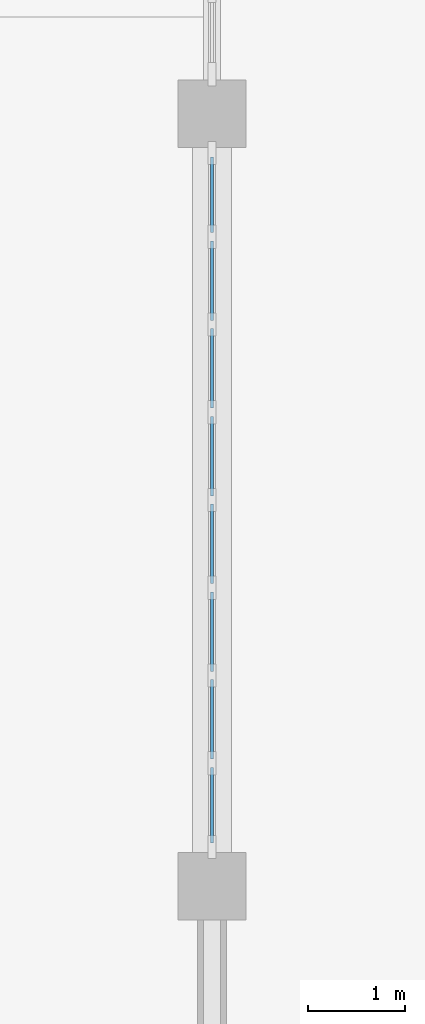
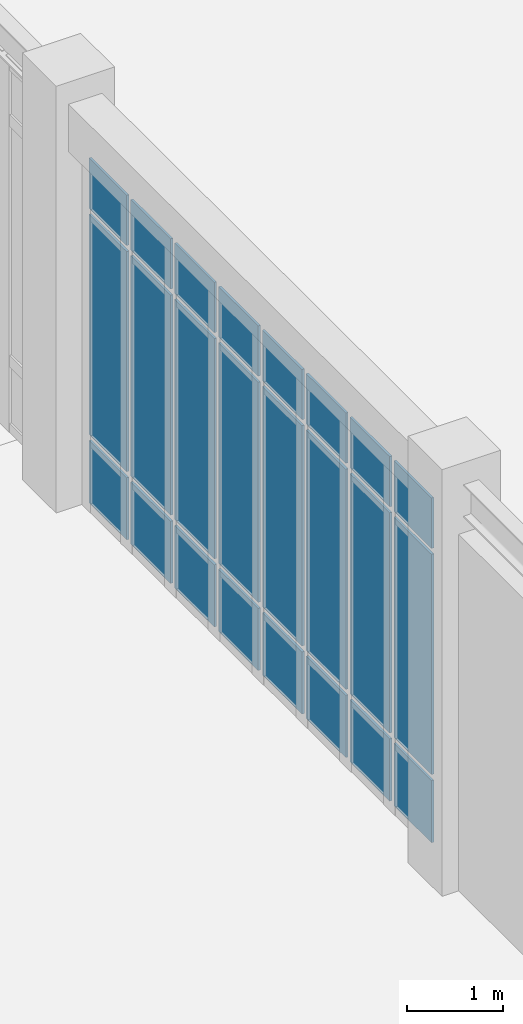
# One storey, part 29 of 62: 24 plates, 1 element without a shape of its own.
"""IFC4 building model written with IfcOpenShell, lengths in metres."""

from ifc_helpers import new_model, si_unit, direction, frame, origin, origin_2d, place, context, subcontext, project, spatial, rectangle, extrude, material, layer, layer_set, type_object, element, aggregate, save


model = new_model("IFC4")

# Units and contexts
model_context = context("Model", 3, precision=1e-05, world=origin(), true_north=direction((0.0, 1.0)))
body_context = subcontext(model_context, "Body", "Model", "MODEL_VIEW")
ifc_project = project(units=[si_unit("LENGTHUNIT", "METRE"), si_unit("AREAUNIT", "SQUARE_METRE"), si_unit("VOLUMEUNIT", "CUBIC_METRE"), si_unit("PLANEANGLEUNIT", "RADIAN"), si_unit("MASSUNIT", "GRAM", prefix="KILO")], contexts=[model_context])

# Site, building, storey
site_placement = place(None, origin())
site = spatial("IfcSite", under=ifc_project, at=site_placement, CompositionType="ELEMENT")
building_placement = place(site_placement, origin())
building = spatial("IfcBuilding", under=site, at=building_placement, Name="Tarnveldt Square Police Headquarters", CompositionType="ELEMENT")
storey_placement = place(building_placement, origin())
storey = spatial("IfcBuildingStorey", under=building, at=storey_placement, Name="L00", CompositionType="ELEMENT", Elevation=0.0)

# Curtain wall, plates
ifc_material = material(Name="Triple-glazed low-e laminated vision glass", Category="glass")
curtain_wall_type = type_object("IfcCurtainWallType", Name="CW-WG-727x451", PredefinedType="USERDEFINED", material=ifc_material)
curtain_wall_placement = place(storey_placement, origin())
curtain_wall = element("IfcCurtainWall", 1, at=curtain_wall_placement, inside=storey, type_object=curtain_wall_type, Name="L00 Curtain Wall CW-L00-062", ObjectType="GLAZED CURTAIN WALL", PredefinedType="USERDEFINED")
ifc_layer = layer(ifc_material, 0.028076171875)
ifc_layer_set = layer_set([ifc_layer], Name="Triple-glazed low-e laminated vision glass")
plate_type = type_object("IfcPlateType", Name="CWP-VIS-28", PredefinedType="CURTAIN_PANEL", material=ifc_layer_set)
plate_1_placement = place(storey_placement, frame((48.60009765625, 56.840576171875, 0.074951171875), z_axis=(0.0, 0.0, 1.0), x_axis=(0.0, 1.0, 0.0)))
plate_1 = element("IfcPlate", 2, at=plate_1_placement, type_object=plate_type, Name="CW-WG24 panel 1.1", PredefinedType="CURTAIN_PANEL", context=body_context, shape_type="SweptSolid", body=[
    extrude(rectangle(XDim=0.78125, YDim=0.028076171875, at=origin_2d()), origin(), (0.0, 0.0, 1.0), 0.78759765625),
])
plate_2_placement = place(storey_placement, frame((48.60009765625, 56.840576171875, 0.9375), z_axis=(0.0, 0.0, 1.0), x_axis=(0.0, 1.0, 0.0)))
plate_2 = element("IfcPlate", 3, at=plate_2_placement, type_object=plate_type, Name="CW-WG24 panel 1.2", PredefinedType="CURTAIN_PANEL", context=body_context, shape_type="SweptSolid", body=[
    extrude(rectangle(XDim=0.78125, YDim=0.028076171875, at=origin_2d()), origin(), (0.0, 0.0, 1.0), 2.787109375),
])
plate_3_placement = place(storey_placement, frame((48.60009765625, 56.840576171875, 3.79931640625), z_axis=(0.0, 0.0, 1.0), x_axis=(0.0, 1.0, 0.0)))
plate_3 = element("IfcPlate", 4, at=plate_3_placement, type_object=plate_type, Name="CW-WG24 panel 1.3", PredefinedType="CURTAIN_PANEL", context=body_context, shape_type="SweptSolid", body=[
    extrude(rectangle(XDim=0.78125, YDim=0.028076171875, at=origin_2d()), origin(), (0.0, 0.0, 1.0), 0.637451171875),
])
plate_4_placement = place(storey_placement, frame((48.60009765625, 57.72802734375, 0.074951171875), z_axis=(0.0, 0.0, 1.0), x_axis=(0.0, 1.0, 0.0)))
plate_4 = element("IfcPlate", 5, at=plate_4_placement, type_object=plate_type, Name="CW-WG24 panel 2.1", PredefinedType="CURTAIN_PANEL", context=body_context, shape_type="SweptSolid", body=[
    extrude(rectangle(XDim=0.82373046875, YDim=0.028076171875, at=origin_2d()), origin(), (0.0, 0.0, 1.0), 0.78759765625),
])
plate_5_placement = place(storey_placement, frame((48.60009765625, 57.72802734375, 0.9375), z_axis=(0.0, 0.0, 1.0), x_axis=(0.0, 1.0, 0.0)))
plate_5 = element("IfcPlate", 6, at=plate_5_placement, type_object=plate_type, Name="CW-WG24 panel 2.2", PredefinedType="CURTAIN_PANEL", context=body_context, shape_type="SweptSolid", body=[
    extrude(rectangle(XDim=0.82373046875, YDim=0.028076171875, at=origin_2d()), origin(), (0.0, 0.0, 1.0), 2.787109375),
])
plate_6_placement = place(storey_placement, frame((48.60009765625, 57.72802734375, 3.79931640625), z_axis=(0.0, 0.0, 1.0), x_axis=(0.0, 1.0, 0.0)))
plate_6 = element("IfcPlate", 7, at=plate_6_placement, type_object=plate_type, Name="CW-WG24 panel 2.3", PredefinedType="CURTAIN_PANEL", context=body_context, shape_type="SweptSolid", body=[
    extrude(rectangle(XDim=0.82373046875, YDim=0.028076171875, at=origin_2d()), origin(), (0.0, 0.0, 1.0), 0.637451171875),
])
plate_7_placement = place(storey_placement, frame((48.60009765625, 58.636962890625, 0.074951171875), z_axis=(0.0, 0.0, 1.0), x_axis=(0.0, 1.0, 0.0)))
plate_7 = element("IfcPlate", 8, at=plate_7_placement, type_object=plate_type, Name="CW-WG24 panel 3.1", PredefinedType="CURTAIN_PANEL", context=body_context, shape_type="SweptSolid", body=[
    extrude(rectangle(XDim=0.82373046875, YDim=0.028076171875, at=origin_2d()), origin(), (0.0, 0.0, 1.0), 0.78759765625),
])
plate_8_placement = place(storey_placement, frame((48.60009765625, 58.636962890625, 0.9375), z_axis=(0.0, 0.0, 1.0), x_axis=(0.0, 1.0, 0.0)))
plate_8 = element("IfcPlate", 9, at=plate_8_placement, type_object=plate_type, Name="CW-WG24 panel 3.2", PredefinedType="CURTAIN_PANEL", context=body_context, shape_type="SweptSolid", body=[
    extrude(rectangle(XDim=0.82373046875, YDim=0.028076171875, at=origin_2d()), origin(), (0.0, 0.0, 1.0), 2.787109375),
])
plate_9_placement = place(storey_placement, frame((48.60009765625, 58.636962890625, 3.79931640625), z_axis=(0.0, 0.0, 1.0), x_axis=(0.0, 1.0, 0.0)))
plate_9 = element("IfcPlate", 10, at=plate_9_placement, type_object=plate_type, Name="CW-WG24 panel 3.3", PredefinedType="CURTAIN_PANEL", context=body_context, shape_type="SweptSolid", body=[
    extrude(rectangle(XDim=0.82373046875, YDim=0.028076171875, at=origin_2d()), origin(), (0.0, 0.0, 1.0), 0.637451171875),
])
plate_10_placement = place(storey_placement, frame((48.60009765625, 59.545654296875, 0.074951171875), z_axis=(0.0, 0.0, 1.0), x_axis=(0.0, 1.0, 0.0)))
plate_10 = element("IfcPlate", 11, at=plate_10_placement, type_object=plate_type, Name="CW-WG24 panel 4.1", PredefinedType="CURTAIN_PANEL", context=body_context, shape_type="SweptSolid", body=[
    extrude(rectangle(XDim=0.82373046875, YDim=0.028076171875, at=origin_2d()), origin(), (0.0, 0.0, 1.0), 0.78759765625),
])
plate_11_placement = place(storey_placement, frame((48.60009765625, 59.545654296875, 0.9375), z_axis=(0.0, 0.0, 1.0), x_axis=(0.0, 1.0, 0.0)))
plate_11 = element("IfcPlate", 12, at=plate_11_placement, type_object=plate_type, Name="CW-WG24 panel 4.2", PredefinedType="CURTAIN_PANEL", context=body_context, shape_type="SweptSolid", body=[
    extrude(rectangle(XDim=0.82373046875, YDim=0.028076171875, at=origin_2d()), origin(), (0.0, 0.0, 1.0), 2.787109375),
])
plate_12_placement = place(storey_placement, frame((48.60009765625, 59.545654296875, 3.79931640625), z_axis=(0.0, 0.0, 1.0), x_axis=(0.0, 1.0, 0.0)))
plate_12 = element("IfcPlate", 13, at=plate_12_placement, type_object=plate_type, Name="CW-WG24 panel 4.3", PredefinedType="CURTAIN_PANEL", context=body_context, shape_type="SweptSolid", body=[
    extrude(rectangle(XDim=0.82373046875, YDim=0.028076171875, at=origin_2d()), origin(), (0.0, 0.0, 1.0), 0.637451171875),
])
plate_13_placement = place(storey_placement, frame((48.60009765625, 60.454345703125, 0.074951171875), z_axis=(0.0, 0.0, 1.0), x_axis=(0.0, 1.0, 0.0)))
plate_13 = element("IfcPlate", 14, at=plate_13_placement, type_object=plate_type, Name="CW-WG24 panel 5.1", PredefinedType="CURTAIN_PANEL", context=body_context, shape_type="SweptSolid", body=[
    extrude(rectangle(XDim=0.82373046875, YDim=0.028076171875, at=origin_2d()), origin(), (0.0, 0.0, 1.0), 0.78759765625),
])
plate_14_placement = place(storey_placement, frame((48.60009765625, 60.454345703125, 0.9375), z_axis=(0.0, 0.0, 1.0), x_axis=(0.0, 1.0, 0.0)))
plate_14 = element("IfcPlate", 15, at=plate_14_placement, type_object=plate_type, Name="CW-WG24 panel 5.2", PredefinedType="CURTAIN_PANEL", context=body_context, shape_type="SweptSolid", body=[
    extrude(rectangle(XDim=0.82373046875, YDim=0.028076171875, at=origin_2d()), origin(), (0.0, 0.0, 1.0), 2.787109375),
])
plate_15_placement = place(storey_placement, frame((48.60009765625, 60.454345703125, 3.79931640625), z_axis=(0.0, 0.0, 1.0), x_axis=(0.0, 1.0, 0.0)))
plate_15 = element("IfcPlate", 16, at=plate_15_placement, type_object=plate_type, Name="CW-WG24 panel 5.3", PredefinedType="CURTAIN_PANEL", context=body_context, shape_type="SweptSolid", body=[
    extrude(rectangle(XDim=0.82373046875, YDim=0.028076171875, at=origin_2d()), origin(), (0.0, 0.0, 1.0), 0.637451171875),
])
plate_16_placement = place(storey_placement, frame((48.60009765625, 61.363037109375, 0.074951171875), z_axis=(0.0, 0.0, 1.0), x_axis=(0.0, 1.0, 0.0)))
plate_16 = element("IfcPlate", 17, at=plate_16_placement, type_object=plate_type, Name="CW-WG24 panel 6.1", PredefinedType="CURTAIN_PANEL", context=body_context, shape_type="SweptSolid", body=[
    extrude(rectangle(XDim=0.82373046875, YDim=0.028076171875, at=origin_2d()), origin(), (0.0, 0.0, 1.0), 0.78759765625),
])
plate_17_placement = place(storey_placement, frame((48.60009765625, 61.363037109375, 0.9375), z_axis=(0.0, 0.0, 1.0), x_axis=(0.0, 1.0, 0.0)))
plate_17 = element("IfcPlate", 18, at=plate_17_placement, type_object=plate_type, Name="CW-WG24 panel 6.2", PredefinedType="CURTAIN_PANEL", context=body_context, shape_type="SweptSolid", body=[
    extrude(rectangle(XDim=0.82373046875, YDim=0.028076171875, at=origin_2d()), origin(), (0.0, 0.0, 1.0), 2.787109375),
])
plate_18_placement = place(storey_placement, frame((48.60009765625, 61.363037109375, 3.79931640625), z_axis=(0.0, 0.0, 1.0), x_axis=(0.0, 1.0, 0.0)))
plate_18 = element("IfcPlate", 19, at=plate_18_placement, type_object=plate_type, Name="CW-WG24 panel 6.3", PredefinedType="CURTAIN_PANEL", context=body_context, shape_type="SweptSolid", body=[
    extrude(rectangle(XDim=0.82373046875, YDim=0.028076171875, at=origin_2d()), origin(), (0.0, 0.0, 1.0), 0.637451171875),
])
plate_19_placement = place(storey_placement, frame((48.60009765625, 62.27197265625, 0.074951171875), z_axis=(0.0, 0.0, 1.0), x_axis=(0.0, 1.0, 0.0)))
plate_19 = element("IfcPlate", 20, at=plate_19_placement, type_object=plate_type, Name="CW-WG24 panel 7.1", PredefinedType="CURTAIN_PANEL", context=body_context, shape_type="SweptSolid", body=[
    extrude(rectangle(XDim=0.82373046875, YDim=0.028076171875, at=origin_2d()), origin(), (0.0, 0.0, 1.0), 0.78759765625),
])
plate_20_placement = place(storey_placement, frame((48.60009765625, 62.27197265625, 0.9375), z_axis=(0.0, 0.0, 1.0), x_axis=(0.0, 1.0, 0.0)))
plate_20 = element("IfcPlate", 21, at=plate_20_placement, type_object=plate_type, Name="CW-WG24 panel 7.2", PredefinedType="CURTAIN_PANEL", context=body_context, shape_type="SweptSolid", body=[
    extrude(rectangle(XDim=0.82373046875, YDim=0.028076171875, at=origin_2d()), origin(), (0.0, 0.0, 1.0), 2.787109375),
])
plate_21_placement = place(storey_placement, frame((48.60009765625, 62.27197265625, 3.79931640625), z_axis=(0.0, 0.0, 1.0), x_axis=(0.0, 1.0, 0.0)))
plate_21 = element("IfcPlate", 22, at=plate_21_placement, type_object=plate_type, Name="CW-WG24 panel 7.3", PredefinedType="CURTAIN_PANEL", context=body_context, shape_type="SweptSolid", body=[
    extrude(rectangle(XDim=0.82373046875, YDim=0.028076171875, at=origin_2d()), origin(), (0.0, 0.0, 1.0), 0.637451171875),
])
plate_22_placement = place(storey_placement, frame((48.60009765625, 63.159423828125, 0.074951171875), z_axis=(0.0, 0.0, 1.0), x_axis=(0.0, 1.0, 0.0)))
plate_22 = element("IfcPlate", 23, at=plate_22_placement, type_object=plate_type, Name="CW-WG24 panel 8.1", PredefinedType="CURTAIN_PANEL", context=body_context, shape_type="SweptSolid", body=[
    extrude(rectangle(XDim=0.78125, YDim=0.028076171875, at=origin_2d()), origin(), (0.0, 0.0, 1.0), 0.78759765625),
])
plate_23_placement = place(storey_placement, frame((48.60009765625, 63.159423828125, 0.9375), z_axis=(0.0, 0.0, 1.0), x_axis=(0.0, 1.0, 0.0)))
plate_23 = element("IfcPlate", 24, at=plate_23_placement, type_object=plate_type, Name="CW-WG24 panel 8.2", PredefinedType="CURTAIN_PANEL", context=body_context, shape_type="SweptSolid", body=[
    extrude(rectangle(XDim=0.78125, YDim=0.028076171875, at=origin_2d()), origin(), (0.0, 0.0, 1.0), 2.787109375),
])
plate_24_placement = place(storey_placement, frame((48.60009765625, 63.159423828125, 3.79931640625), z_axis=(0.0, 0.0, 1.0), x_axis=(0.0, 1.0, 0.0)))
plate_24 = element("IfcPlate", 25, at=plate_24_placement, type_object=plate_type, Name="CW-WG24 panel 8.3", PredefinedType="CURTAIN_PANEL", context=body_context, shape_type="SweptSolid", body=[
    extrude(rectangle(XDim=0.78125, YDim=0.028076171875, at=origin_2d()), origin(), (0.0, 0.0, 1.0), 0.637451171875),
])
aggregate(curtain_wall, [plate_1, plate_2, plate_3, plate_4, plate_5, plate_6, plate_7, plate_8, plate_9, plate_10, plate_11, plate_12, plate_13, plate_14, plate_15, plate_16, plate_17, plate_18, plate_19, plate_20, plate_21, plate_22, plate_23, plate_24])

save(model, "model.ifc")
